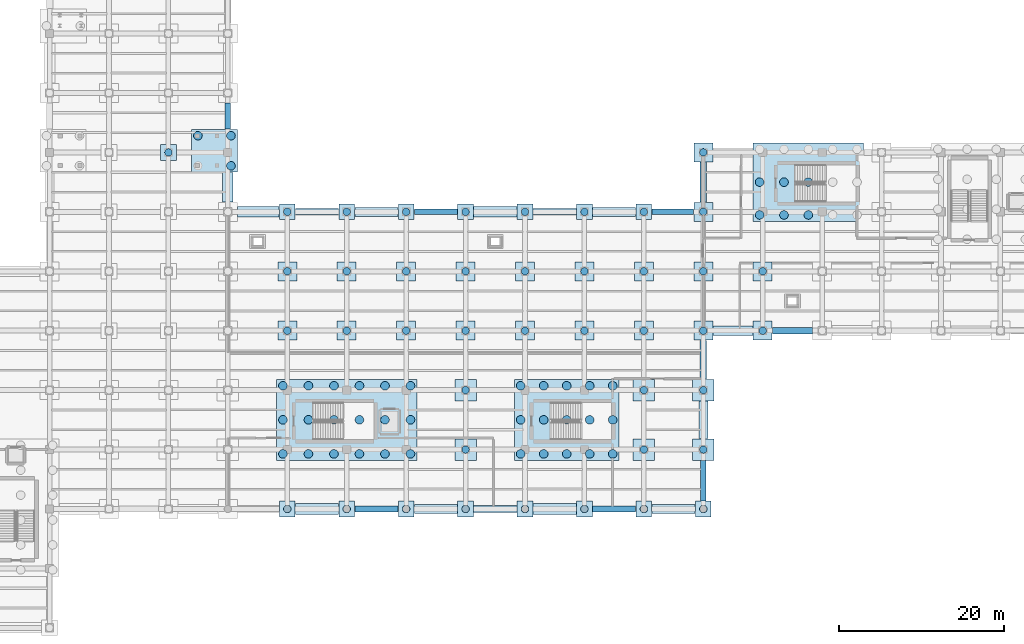
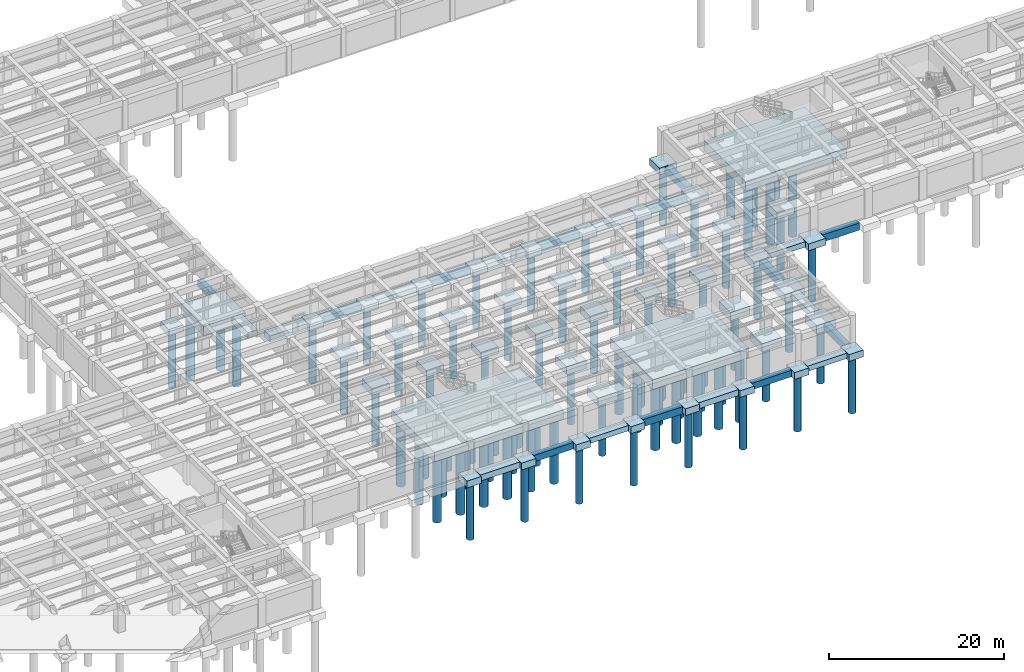
# One storey, part 2 of 34: 84 piles, 69 footings.
"""IFC4 building model written with IfcOpenShell, lengths in metres."""

from ifc_helpers import new_model, si_unit, direction, frame, origin, origin_2d, place, context, subcontext, project, spatial, polyline, rectangle, circle, outline, extrude, material, material_profile, profile_set, type_object, element, save


model = new_model("IFC4")

# Units and contexts
model_context = context("Model", 3, precision=1e-05, world=origin(), true_north=direction((0.0, 1.0)))
body_context = subcontext(model_context, "Body", "Model", "MODEL_VIEW")
ifc_project = project(units=[si_unit("LENGTHUNIT", "METRE"), si_unit("AREAUNIT", "SQUARE_METRE"), si_unit("VOLUMEUNIT", "CUBIC_METRE"), si_unit("PLANEANGLEUNIT", "RADIAN"), si_unit("MASSUNIT", "GRAM", prefix="KILO")], contexts=[model_context])

# Site, building, storey
site_placement = place(None, origin())
site = spatial("IfcSite", under=ifc_project, at=site_placement, CompositionType="ELEMENT")
building_placement = place(site_placement, origin())
building = spatial("IfcBuilding", under=site, at=building_placement, Name="Solenvale Faculty of Natural Sciences", CompositionType="ELEMENT")
storey_placement = place(building_placement, frame((0.0, 0.0, -4.5)))
storey = spatial("IfcBuildingStorey", under=building, at=storey_placement, Name="B01", CompositionType="ELEMENT", Elevation=-4.5)

# Footings
ifc_material = material(Name="Concrete 40 MPa", Category="concrete")
footing_type_1 = type_object("IfcFootingType", Name="FT-CAP-12700x9800x1350", PredefinedType="PILE_CAP", material=ifc_material)
footing_1_placement = place(storey_placement, frame((98.64990234375, 25.199951171875, -1.699951171875), z_axis=(0.0, 0.0, 1.0), x_axis=(1.0, 0.0, 0.0)))
element("IfcFooting", 1, at=footing_1_placement, inside=storey, type_object=footing_type_1, Name="B01 Pile Cap 30", PredefinedType="PILE_CAP", context=body_context, shape_type="SweptSolid", body=[
    extrude(rectangle(XDim=12.699951171875, YDim=9.800048828125, at=origin_2d()), origin(), (0.0, 0.0, 1.0), 1.35009765625),
])
footing_type_2 = type_object("IfcFootingType", Name="FT-CAP-13350x9500x1350", PredefinedType="PILE_CAP", material=ifc_material)
footing_2_placement = place(storey_placement, frame((127.925048828125, 54.0, -1.699951171875), z_axis=(0.0, 0.0, 1.0), x_axis=(1.0, 0.0, 0.0)))
element("IfcFooting", 2, at=footing_2_placement, inside=storey, type_object=footing_type_2, Name="B01 Pile Cap 103", PredefinedType="PILE_CAP", context=body_context, shape_type="SweptSolid", body=[
    extrude(rectangle(XDim=13.35009765625, YDim=9.5, at=origin_2d()), origin(), (0.0, 0.0, 1.0), 1.35009765625),
])
footing_type_3 = type_object("IfcFootingType", Name="FT-CAP-17000x9800x1350", PredefinedType="PILE_CAP", material=ifc_material)
footing_3_placement = place(storey_placement, frame((72.0, 25.199951171875, -1.699951171875), z_axis=(0.0, 0.0, 1.0), x_axis=(1.0, 0.0, 0.0)))
element("IfcFooting", 3, at=footing_3_placement, inside=storey, type_object=footing_type_3, Name="B01 Pile Cap 28", PredefinedType="PILE_CAP", context=body_context, shape_type="SweptSolid", body=[
    extrude(rectangle(XDim=17.0, YDim=9.800048828125, at=origin_2d()), origin(), (0.0, 0.0, 1.0), 1.35009765625),
])
footing_type_4 = type_object("IfcFootingType", Name="FT-CAP-1900x1900x950", PredefinedType="PILE_CAP", material=ifc_material)
for number, where, z_axis, x_axis, name in (
    (4, (64.800048828125, 14.39990234375, -1.2998046875), (0.0, 0.0, 1.0), (1.0, 0.0, 0.0), "B01 Pile Cap 19"),
    (5, (72.0, 14.39990234375, -1.2998046875), (0.0, 0.0, 1.0), (1.0, 0.0, 0.0), "B01 Pile Cap 20"),
    (6, (79.199951171875, 14.39990234375, -1.2998046875), (0.0, 0.0, 1.0), (1.0, 0.0, 0.0), "B01 Pile Cap 21"),
    (7, (86.39990234375, 14.39990234375, -1.2998046875), (0.0, 0.0, 1.0), (1.0, 0.0, 0.0), "B01 Pile Cap 22"),
    (8, (93.60009765625, 14.39990234375, -1.2998046875), (0.0, 0.0, 1.0), (1.0, 0.0, 0.0), "B01 Pile Cap 23"),
    (9, (100.800048828125, 14.39990234375, -1.2998046875), (0.0, 0.0, 1.0), (1.0, 0.0, 0.0), "B01 Pile Cap 24"),
    (10, (108.0, 14.39990234375, -1.2998046875), (0.0, 0.0, 1.0), (1.0, 0.0, 0.0), "B01 Pile Cap 25"),
    (11, (115.199951171875, 14.39990234375, -1.2998046875), (0.0, 0.0, 1.0), (1.0, 0.0, 0.0), "B01 Pile Cap 26"),
    (12, (64.800048828125, 50.39990234375, -1.2998046875), (0.0, 0.0, 1.0), (1.0, 0.0, 0.0), "B01 Pile Cap 108"),
    (13, (72.0, 50.39990234375, -1.2998046875), (0.0, 0.0, 1.0), (1.0, 0.0, 0.0), "B01 Pile Cap 109"),
    (14, (79.199951171875, 50.39990234375, -1.2998046875), (0.0, 0.0, 1.0), (1.0, 0.0, 0.0), "B01 Pile Cap 110"),
    (15, (86.39990234375, 50.39990234375, -1.2998046875), (0.0, 0.0, 1.0), (1.0, 0.0, 0.0), "B01 Pile Cap 111"),
    (16, (93.60009765625, 50.39990234375, -1.2998046875), (0.0, 0.0, 1.0), (1.0, 0.0, 0.0), "B01 Pile Cap 112"),
    (17, (100.800048828125, 50.39990234375, -1.2998046875), (0.0, 0.0, 1.0), (1.0, 0.0, 0.0), "B01 Pile Cap 113"),
    (18, (108.0, 50.39990234375, -1.2998046875), (0.0, 0.0, 1.0), (1.0, 0.0, 0.0), "B01 Pile Cap 114"),
    (19, (50.39990234375, 57.60009765625, -1.2998046875), (0.0, 0.0, 1.0), (1.0, 0.0, 0.0), "B01 Pile Cap 122"),
):
    element("IfcFooting", number, at=place(storey_placement, frame(where, z_axis=z_axis, x_axis=x_axis)), inside=storey, type_object=footing_type_4, Name=name, PredefinedType="PILE_CAP", context=body_context, shape_type="SweptSolid", body=[
        extrude(rectangle(XDim=1.89990234375, YDim=1.89990234375, at=origin_2d()), origin(), (0.0, 0.0, 1.0), 0.949951171875),
    ])
footing_type_5 = type_object("IfcFootingType", Name="FT-CAP-2300x2300x950", PredefinedType="PILE_CAP", material=ifc_material)
for number, where, z_axis, x_axis, name in (
    (20, (64.800048828125, 36.0, -1.2998046875), (0.0, 0.0, 1.0), (1.0, 0.0, 0.0), "B01 Pile Cap 53"),
    (21, (72.0, 36.0, -1.2998046875), (0.0, 0.0, 1.0), (1.0, 0.0, 0.0), "B01 Pile Cap 54"),
    (22, (79.199951171875, 36.0, -1.2998046875), (0.0, 0.0, 1.0), (1.0, 0.0, 0.0), "B01 Pile Cap 55"),
    (23, (86.39990234375, 36.0, -1.2998046875), (0.0, 0.0, 1.0), (1.0, 0.0, 0.0), "B01 Pile Cap 56"),
    (24, (93.60009765625, 36.0, -1.2998046875), (0.0, 0.0, 1.0), (1.0, 0.0, 0.0), "B01 Pile Cap 57"),
    (25, (100.800048828125, 36.0, -1.2998046875), (0.0, 0.0, 1.0), (1.0, 0.0, 0.0), "B01 Pile Cap 58"),
    (26, (108.0, 36.0, -1.2998046875), (0.0, 0.0, 1.0), (1.0, 0.0, 0.0), "B01 Pile Cap 59"),
    (27, (115.199951171875, 36.0, -1.2998046875), (0.0, 0.0, 1.0), (1.0, 0.0, 0.0), "B01 Pile Cap 60"),
    (28, (122.39990234375, 36.0, -1.2998046875), (0.0, 0.0, 1.0), (1.0, 0.0, 0.0), "B01 Pile Cap 61"),
    (29, (64.800048828125, 43.199951171875, -1.2998046875), (0.0, 0.0, 1.0), (1.0, 0.0, 0.0), "B01 Pile Cap 77"),
    (30, (72.0, 43.199951171875, -1.2998046875), (0.0, 0.0, 1.0), (1.0, 0.0, 0.0), "B01 Pile Cap 78"),
    (31, (79.199951171875, 43.199951171875, -1.2998046875), (0.0, 0.0, 1.0), (1.0, 0.0, 0.0), "B01 Pile Cap 79"),
    (32, (86.39990234375, 43.199951171875, -1.2998046875), (0.0, 0.0, 1.0), (1.0, 0.0, 0.0), "B01 Pile Cap 80"),
    (33, (93.60009765625, 43.199951171875, -1.2998046875), (0.0, 0.0, 1.0), (1.0, 0.0, 0.0), "B01 Pile Cap 81"),
    (34, (100.800048828125, 43.199951171875, -1.2998046875), (0.0, 0.0, 1.0), (1.0, 0.0, 0.0), "B01 Pile Cap 82"),
    (35, (108.0, 43.199951171875, -1.2998046875), (0.0, 0.0, 1.0), (1.0, 0.0, 0.0), "B01 Pile Cap 83"),
    (36, (115.199951171875, 43.199951171875, -1.2998046875), (0.0, 0.0, 1.0), (1.0, 0.0, 0.0), "B01 Pile Cap 84"),
    (37, (122.39990234375, 43.199951171875, -1.2998046875), (0.0, 0.0, 1.0), (1.0, 0.0, 0.0), "B01 Pile Cap 85"),
    (38, (115.199951171875, 50.39990234375, -1.2998046875), (0.0, 0.0, 1.0), (1.0, 0.0, 0.0), "B01 Pile Cap 102"),
    (39, (115.199951171875, 57.60009765625, -1.2998046875), (0.0, 0.0, 1.0), (1.0, 0.0, 0.0), "B01 Pile Cap 118"),
):
    element("IfcFooting", number, at=place(storey_placement, frame(where, z_axis=z_axis, x_axis=x_axis)), inside=storey, type_object=footing_type_5, Name=name, PredefinedType="PILE_CAP", context=body_context, shape_type="SweptSolid", body=[
        extrude(rectangle(XDim=2.300048828125, YDim=2.300048828125, at=origin_2d()), origin(), (0.0, 0.0, 1.0), 0.949951171875),
    ])
footing_type_6 = type_object("IfcFootingType", Name="FT-CAP-2600x2600x1150", PredefinedType="PILE_CAP", material=ifc_material)
for number, where, z_axis, x_axis, name in (
    (40, (86.39990234375, 21.60009765625, -1.5), (0.0, 0.0, 1.0), (1.0, 0.0, 0.0), "B01 Pile Cap 29"),
    (41, (108.0, 21.60009765625, -1.5), (0.0, 0.0, 1.0), (1.0, 0.0, 0.0), "B01 Pile Cap 31"),
    (42, (115.199951171875, 21.60009765625, -1.5), (0.0, 0.0, 1.0), (1.0, 0.0, 0.0), "B01 Pile Cap 32"),
    (43, (86.39990234375, 28.800048828125, -1.5), (0.0, 0.0, 1.0), (1.0, 0.0, 0.0), "B01 Pile Cap 40"),
    (44, (108.0, 28.800048828125, -1.5), (0.0, 0.0, 1.0), (1.0, 0.0, 0.0), "B01 Pile Cap 41"),
    (45, (115.199951171875, 28.800048828125, -1.5), (0.0, 0.0, 1.0), (1.0, 0.0, 0.0), "B01 Pile Cap 42"),
):
    element("IfcFooting", number, at=place(storey_placement, frame(where, z_axis=z_axis, x_axis=x_axis)), inside=storey, type_object=footing_type_6, Name=name, PredefinedType="PILE_CAP", context=body_context, shape_type="SweptSolid", body=[
        extrude(rectangle(XDim=2.60009765625, YDim=2.60009765625, at=origin_2d()), origin(), (0.0, 0.0, 1.0), 1.14990234375),
    ])
footing_type_7 = type_object("IfcFootingType", Name="FT-CAP-5550x5200x1350", PredefinedType="PILE_CAP", material=ifc_material)
footing_4_placement = place(storey_placement, frame((55.97509765625, 57.800048828125, -1.699951171875), z_axis=(0.0, 0.0, 1.0), x_axis=(1.0, 0.0, 0.0)))
element("IfcFooting", 46, at=footing_4_placement, inside=storey, type_object=footing_type_7, Name="B01 Pile Cap 117", PredefinedType="PILE_CAP", context=body_context, shape_type="SweptSolid", body=[
    extrude(rectangle(XDim=5.550048828125, YDim=5.199951171875, at=origin_2d()), origin(), (0.0, 0.0, 1.0), 1.35009765625),
])
footing_type_8 = type_object("IfcFootingType", Name="FT-GB-700x900", PredefinedType="FOOTING_BEAM", material=ifc_material)
footing_5_placement = place(storey_placement, frame((0.0, 0.0, -1.25)))
element("IfcFooting", 47, at=footing_5_placement, inside=storey, type_object=footing_type_8, Name="B01 Continuous Foundation Beam 12.5", PredefinedType="FOOTING_BEAM", context=body_context, shape_type="SweptSolid", body=[
    extrude(outline(polyline([(57.25, 60.43994140625), (57.949951171875, 60.43994140625), (57.949951171875, 63.610107421875), (57.25, 63.610107421875), (57.25, 60.43994140625)])), origin(), (0.0, 0.0, 1.0), 0.89990234375),
])
footing_6_placement = place(storey_placement, frame((0.0, 0.0, -1.25)))
element("IfcFooting", 48, at=footing_6_placement, inside=storey, type_object=footing_type_8, Name="B01 Continuous Foundation Beam 13.4", PredefinedType="FOOTING_BEAM", context=body_context, shape_type="SweptSolid", body=[
    extrude(outline(polyline([(80.18994140625, 50.050048828125), (85.409912109375, 50.050048828125), (85.409912109375, 50.75), (80.18994140625, 50.75), (80.18994140625, 50.050048828125)])), origin(), (0.0, 0.0, 1.0), 0.89990234375),
])
footing_7_placement = place(storey_placement, frame((0.0, 0.0, -1.25)))
element("IfcFooting", 49, at=footing_7_placement, inside=storey, type_object=footing_type_8, Name="B01 Continuous Foundation Beam 13.8", PredefinedType="FOOTING_BEAM", context=body_context, shape_type="SweptSolid", body=[
    extrude(outline(polyline([(108.989990234375, 50.050048828125), (114.010009765625, 50.050048828125), (114.010009765625, 50.75), (108.989990234375, 50.75), (108.989990234375, 50.050048828125)])), origin(), (0.0, 0.0, 1.0), 0.89990234375),
])
footing_8_placement = place(storey_placement, frame((0.0, 0.0, -1.25)))
element("IfcFooting", 50, at=footing_8_placement, inside=storey, type_object=footing_type_8, Name="B01 Continuous Foundation Beam 18.3", PredefinedType="FOOTING_BEAM", context=body_context, shape_type="SweptSolid", body=[
    extrude(outline(polyline([(114.85009765625, 15.389892578125), (115.550048828125, 15.389892578125), (115.550048828125, 20.260009765625), (114.85009765625, 20.260009765625), (114.85009765625, 15.389892578125)])), origin(), (0.0, 0.0, 1.0), 0.89990234375),
])
footing_9_placement = place(storey_placement, frame((0.0, 0.0, -1.25)))
element("IfcFooting", 51, at=footing_9_placement, inside=storey, type_object=footing_type_8, Name="B01 Continuous Foundation Beam 19.2", PredefinedType="FOOTING_BEAM", context=body_context, shape_type="SweptSolid", body=[
    extrude(outline(polyline([(101.7900390625, 14.050048828125), (107.010009765625, 14.050048828125), (107.010009765625, 14.75), (101.7900390625, 14.75), (101.7900390625, 14.050048828125)])), origin(), (0.0, 0.0, 1.0), 0.89990234375),
])
footing_10_placement = place(storey_placement, frame((0.0, 0.0, -1.25)))
element("IfcFooting", 52, at=footing_10_placement, inside=storey, type_object=footing_type_8, Name="B01 Continuous Foundation Beam 19.6", PredefinedType="FOOTING_BEAM", context=body_context, shape_type="SweptSolid", body=[
    extrude(outline(polyline([(72.989990234375, 14.050048828125), (78.2099609375, 14.050048828125), (78.2099609375, 14.75), (72.989990234375, 14.75), (72.989990234375, 14.050048828125)])), origin(), (0.0, 0.0, 1.0), 0.89990234375),
])
footing_type_9 = type_object("IfcFootingType", Name="FT-GB-800x1000", PredefinedType="FOOTING_BEAM", material=ifc_material)
footing_11_placement = place(storey_placement, frame((0.0, 0.0, -1.35009765625)))
element("IfcFooting", 53, at=footing_11_placement, inside=storey, type_object=footing_type_9, Name="B01 Continuous Foundation Beam 13.2", PredefinedType="FOOTING_BEAM", context=body_context, shape_type="SweptSolid", body=[
    extrude(outline(polyline([(65.7900390625, 50.0), (71.010009765625, 50.0), (71.010009765625, 50.800048828125), (65.7900390625, 50.800048828125), (65.7900390625, 50.0)])), origin(), (0.0, 0.0, 1.0), 1.0),
])
footing_12_placement = place(storey_placement, frame((0.0, 0.0, -1.35009765625)))
element("IfcFooting", 54, at=footing_12_placement, inside=storey, type_object=footing_type_9, Name="B01 Continuous Foundation Beam 13.6", PredefinedType="FOOTING_BEAM", context=body_context, shape_type="SweptSolid", body=[
    extrude(outline(polyline([(94.590087890625, 50.0), (99.81005859375, 50.0), (99.81005859375, 50.800048828125), (94.590087890625, 50.800048828125), (94.590087890625, 50.0)])), origin(), (0.0, 0.0, 1.0), 1.0),
])
footing_13_placement = place(storey_placement, frame((0.0, 0.0, -1.35009765625)))
element("IfcFooting", 55, at=footing_13_placement, inside=storey, type_object=footing_type_9, Name="B01 Continuous Foundation Beam 14.1", PredefinedType="FOOTING_BEAM", context=body_context, shape_type="SweptSolid", body=[
    extrude(outline(polyline([(114.800048828125, 51.590087890625), (115.60009765625, 51.590087890625), (115.60009765625, 56.409912109375), (114.800048828125, 56.409912109375), (114.800048828125, 51.590087890625)])), origin(), (0.0, 0.0, 1.0), 1.0),
])
footing_14_placement = place(storey_placement, frame((0.0, 0.0, -1.35009765625)))
element("IfcFooting", 56, at=footing_14_placement, inside=storey, type_object=footing_type_9, Name="B01 Continuous Foundation Beam 17.6", PredefinedType="FOOTING_BEAM", context=body_context, shape_type="SweptSolid", body=[
    extrude(outline(polyline([(123.590087890625, 35.60009765625), (128.409912109375, 35.60009765625), (128.409912109375, 36.39990234375), (123.590087890625, 36.39990234375), (123.590087890625, 35.60009765625)])), origin(), (0.0, 0.0, 1.0), 1.0),
])
footing_15_placement = place(storey_placement, frame((0.0, 0.0, -1.35009765625)))
element("IfcFooting", 57, at=footing_15_placement, inside=storey, type_object=footing_type_9, Name="B01 Continuous Foundation Beam 18.1", PredefinedType="FOOTING_BEAM", context=body_context, shape_type="SweptSolid", body=[
    extrude(outline(polyline([(114.800048828125, 30.139892578125), (115.60009765625, 30.139892578125), (115.60009765625, 34.81005859375), (114.800048828125, 34.81005859375), (114.800048828125, 30.139892578125)])), origin(), (0.0, 0.0, 1.0), 1.0),
])
footing_16_placement = place(storey_placement, frame((0.0, 0.0, -1.35009765625)))
element("IfcFooting", 58, at=footing_16_placement, inside=storey, type_object=footing_type_9, Name="B01 Continuous Foundation Beam 19.4", PredefinedType="FOOTING_BEAM", context=body_context, shape_type="SweptSolid", body=[
    extrude(outline(polyline([(87.389892578125, 14.0), (92.610107421875, 14.0), (92.610107421875, 14.800048828125), (87.389892578125, 14.800048828125), (87.389892578125, 14.0)])), origin(), (0.0, 0.0, 1.0), 1.0),
])
footing_type_10 = type_object("IfcFootingType", Name="FT-ST-1100x750", PredefinedType="STRIP_FOOTING", material=ifc_material)
footing_17_placement = place(storey_placement, frame((0.0, 0.0, -1.10009765625)))
element("IfcFooting", 59, at=footing_17_placement, inside=storey, type_object=footing_type_10, Name="B01 Continuous Foundation Beam 13.3", PredefinedType="STRIP_FOOTING", context=body_context, shape_type="SweptSolid", body=[
    extrude(outline(polyline([(72.989990234375, 49.85009765625), (78.2099609375, 49.85009765625), (78.2099609375, 50.949951171875), (72.989990234375, 50.949951171875), (72.989990234375, 49.85009765625)])), origin(), (0.0, 0.0, 1.0), 0.75),
])
footing_18_placement = place(storey_placement, frame((0.0, 0.0, -1.10009765625)))
element("IfcFooting", 60, at=footing_18_placement, inside=storey, type_object=footing_type_10, Name="B01 Continuous Foundation Beam 13.7", PredefinedType="STRIP_FOOTING", context=body_context, shape_type="SweptSolid", body=[
    extrude(outline(polyline([(101.7900390625, 49.85009765625), (107.010009765625, 49.85009765625), (107.010009765625, 50.949951171875), (101.7900390625, 50.949951171875), (101.7900390625, 49.85009765625)])), origin(), (0.0, 0.0, 1.0), 0.75),
])
footing_19_placement = place(storey_placement, frame((0.0, 0.0, -1.10009765625)))
element("IfcFooting", 61, at=footing_19_placement, inside=storey, type_object=footing_type_10, Name="B01 Continuous Foundation Beam 17.7", PredefinedType="STRIP_FOOTING", context=body_context, shape_type="SweptSolid", body=[
    extrude(outline(polyline([(116.389892578125, 35.449951171875), (121.2099609375, 35.449951171875), (121.2099609375, 36.550048828125), (116.389892578125, 36.550048828125), (116.389892578125, 35.449951171875)])), origin(), (0.0, 0.0, 1.0), 0.75),
])
footing_20_placement = place(storey_placement, frame((0.0, 0.0, -1.10009765625)))
element("IfcFooting", 62, at=footing_20_placement, inside=storey, type_object=footing_type_10, Name="B01 Continuous Foundation Beam 18.2", PredefinedType="STRIP_FOOTING", context=body_context, shape_type="SweptSolid", body=[
    extrude(outline(polyline([(114.64990234375, 22.93994140625), (115.75, 22.93994140625), (115.75, 27.4599609375), (114.64990234375, 27.4599609375), (114.64990234375, 22.93994140625)])), origin(), (0.0, 0.0, 1.0), 0.75),
])
footing_21_placement = place(storey_placement, frame((0.0, 0.0, -1.10009765625)))
element("IfcFooting", 63, at=footing_21_placement, inside=storey, type_object=footing_type_10, Name="B01 Continuous Foundation Beam 19.1", PredefinedType="STRIP_FOOTING", context=body_context, shape_type="SweptSolid", body=[
    extrude(outline(polyline([(108.989990234375, 13.85009765625), (114.2099609375, 13.85009765625), (114.2099609375, 14.949951171875), (108.989990234375, 14.949951171875), (108.989990234375, 13.85009765625)])), origin(), (0.0, 0.0, 1.0), 0.75),
])
footing_22_placement = place(storey_placement, frame((0.0, 0.0, -1.10009765625)))
element("IfcFooting", 64, at=footing_22_placement, inside=storey, type_object=footing_type_10, Name="B01 Continuous Foundation Beam 19.5", PredefinedType="STRIP_FOOTING", context=body_context, shape_type="SweptSolid", body=[
    extrude(outline(polyline([(80.18994140625, 13.85009765625), (85.409912109375, 13.85009765625), (85.409912109375, 14.949951171875), (80.18994140625, 14.949951171875), (80.18994140625, 13.85009765625)])), origin(), (0.0, 0.0, 1.0), 0.75),
])
footing_type_11 = type_object("IfcFootingType", Name="FT-ST-1300x850", PredefinedType="STRIP_FOOTING", material=ifc_material)
footing_23_placement = place(storey_placement, frame((0.0, 0.0, -1.199951171875)))
element("IfcFooting", 65, at=footing_23_placement, inside=storey, type_object=footing_type_11, Name="B01 Continuous Foundation Beam 12.6", PredefinedType="STRIP_FOOTING", context=body_context, shape_type="SweptSolid", body=[
    extrude(outline(polyline([(56.949951171875, 51.590087890625), (58.25, 51.590087890625), (58.25, 55.159912109375), (56.949951171875, 55.159912109375), (56.949951171875, 51.590087890625)])), origin(), (0.0, 0.0, 1.0), 0.849853515625),
])
footing_24_placement = place(storey_placement, frame((0.0, 0.0, -1.199951171875)))
element("IfcFooting", 66, at=footing_24_placement, inside=storey, type_object=footing_type_11, Name="B01 Continuous Foundation Beam 13.1", PredefinedType="STRIP_FOOTING", context=body_context, shape_type="SweptSolid", body=[
    extrude(outline(polyline([(58.7900390625, 49.75), (63.81005859375, 49.75), (63.81005859375, 51.050048828125), (58.7900390625, 51.050048828125), (58.7900390625, 49.75)])), origin(), (0.0, 0.0, 1.0), 0.849853515625),
])
footing_25_placement = place(storey_placement, frame((0.0, 0.0, -1.199951171875)))
element("IfcFooting", 67, at=footing_25_placement, inside=storey, type_object=footing_type_11, Name="B01 Continuous Foundation Beam 13.5", PredefinedType="STRIP_FOOTING", context=body_context, shape_type="SweptSolid", body=[
    extrude(outline(polyline([(87.389892578125, 49.75), (92.610107421875, 49.75), (92.610107421875, 51.050048828125), (87.389892578125, 51.050048828125), (87.389892578125, 49.75)])), origin(), (0.0, 0.0, 1.0), 0.849853515625),
])
footing_26_placement = place(storey_placement, frame((0.0, 0.0, -1.199951171875)))
element("IfcFooting", 68, at=footing_26_placement, inside=storey, type_object=footing_type_11, Name="B01 Continuous Foundation Beam 19.3", PredefinedType="STRIP_FOOTING", context=body_context, shape_type="SweptSolid", body=[
    extrude(outline(polyline([(94.590087890625, 13.75), (99.81005859375, 13.75), (99.81005859375, 15.050048828125), (94.590087890625, 15.050048828125), (94.590087890625, 13.75)])), origin(), (0.0, 0.0, 1.0), 0.849853515625),
])
footing_27_placement = place(storey_placement, frame((0.0, 0.0, -1.199951171875)))
element("IfcFooting", 69, at=footing_27_placement, inside=storey, type_object=footing_type_11, Name="B01 Continuous Foundation Beam 19.7", PredefinedType="STRIP_FOOTING", context=body_context, shape_type="SweptSolid", body=[
    extrude(outline(polyline([(65.7900390625, 13.75), (71.010009765625, 13.75), (71.010009765625, 15.050048828125), (65.7900390625, 15.050048828125), (65.7900390625, 13.75)])), origin(), (0.0, 0.0, 1.0), 0.849853515625),
])

# Piles
ifc_material_profile_1 = material_profile(ifc_material, circle(Radius=0.52490234375, at=origin_2d()), Name="PILE-D1050")
ifc_profile_set_1 = profile_set([ifc_material_profile_1], Name="Concrete 40 MPa")
pile_type_1 = type_object("IfcPileType", Name="PL-BOR-1050", PredefinedType="BORED", material=ifc_profile_set_1)
for number, where, z_axis, x_axis, name in (
    (70, (64.27490234375, 21.074951171875, -1.60009765625), (0.0, 0.0, -1.0), (1.0, 0.0, 0.0), "B01 Bored Pile 127"),
    (71, (64.27490234375, 25.199951171875, -1.60009765625), (0.0, 0.0, -1.0), (1.0, 0.0, 0.0), "B01 Bored Pile 128"),
    (72, (64.27490234375, 29.324951171875, -1.60009765625), (0.0, 0.0, -1.0), (1.0, 0.0, 0.0), "B01 Bored Pile 129"),
    (73, (67.364990234375, 21.074951171875, -1.60009765625), (0.0, 0.0, -1.0), (1.0, 0.0, 0.0), "B01 Bored Pile 130"),
    (74, (67.364990234375, 25.199951171875, -1.60009765625), (0.0, 0.0, -1.0), (1.0, 0.0, 0.0), "B01 Bored Pile 131"),
    (75, (67.364990234375, 29.324951171875, -1.60009765625), (0.0, 0.0, -1.0), (1.0, 0.0, 0.0), "B01 Bored Pile 132"),
    (76, (70.455078125, 21.074951171875, -1.60009765625), (0.0, 0.0, -1.0), (1.0, 0.0, 0.0), "B01 Bored Pile 133"),
    (77, (70.455078125, 25.199951171875, -1.60009765625), (0.0, 0.0, -1.0), (1.0, 0.0, 0.0), "B01 Bored Pile 134"),
    (78, (70.455078125, 29.324951171875, -1.60009765625), (0.0, 0.0, -1.0), (1.0, 0.0, 0.0), "B01 Bored Pile 135"),
    (79, (73.544921875, 21.074951171875, -1.60009765625), (0.0, 0.0, -1.0), (1.0, 0.0, 0.0), "B01 Bored Pile 136"),
    (80, (73.544921875, 25.199951171875, -1.60009765625), (0.0, 0.0, -1.0), (1.0, 0.0, 0.0), "B01 Bored Pile 137"),
    (81, (73.544921875, 29.324951171875, -1.60009765625), (0.0, 0.0, -1.0), (1.0, 0.0, 0.0), "B01 Bored Pile 138"),
    (82, (76.635009765625, 21.074951171875, -1.60009765625), (0.0, 0.0, -1.0), (1.0, 0.0, 0.0), "B01 Bored Pile 139"),
    (83, (76.635009765625, 25.199951171875, -1.60009765625), (0.0, 0.0, -1.0), (1.0, 0.0, 0.0), "B01 Bored Pile 140"),
    (84, (76.635009765625, 29.324951171875, -1.60009765625), (0.0, 0.0, -1.0), (1.0, 0.0, 0.0), "B01 Bored Pile 141"),
    (85, (79.72509765625, 21.074951171875, -1.60009765625), (0.0, 0.0, -1.0), (1.0, 0.0, 0.0), "B01 Bored Pile 142"),
    (86, (79.72509765625, 25.199951171875, -1.60009765625), (0.0, 0.0, -1.0), (1.0, 0.0, 0.0), "B01 Bored Pile 143"),
    (87, (79.72509765625, 29.324951171875, -1.60009765625), (0.0, 0.0, -1.0), (1.0, 0.0, 0.0), "B01 Bored Pile 144"),
    (88, (93.074951171875, 21.074951171875, -1.60009765625), (0.0, 0.0, -1.0), (1.0, 0.0, 0.0), "B01 Bored Pile 146"),
    (89, (93.074951171875, 25.199951171875, -1.60009765625), (0.0, 0.0, -1.0), (1.0, 0.0, 0.0), "B01 Bored Pile 147"),
    (90, (93.074951171875, 29.324951171875, -1.60009765625), (0.0, 0.0, -1.0), (1.0, 0.0, 0.0), "B01 Bored Pile 148"),
    (91, (95.862060546875, 21.074951171875, -1.60009765625), (0.0, 0.0, -1.0), (1.0, 0.0, 0.0), "B01 Bored Pile 149"),
    (92, (95.862060546875, 25.199951171875, -1.60009765625), (0.0, 0.0, -1.0), (1.0, 0.0, 0.0), "B01 Bored Pile 150"),
    (93, (95.862060546875, 29.324951171875, -1.60009765625), (0.0, 0.0, -1.0), (1.0, 0.0, 0.0), "B01 Bored Pile 151"),
    (94, (98.64990234375, 21.074951171875, -1.60009765625), (0.0, 0.0, -1.0), (1.0, 0.0, 0.0), "B01 Bored Pile 152"),
    (95, (98.64990234375, 25.199951171875, -1.60009765625), (0.0, 0.0, -1.0), (1.0, 0.0, 0.0), "B01 Bored Pile 153"),
    (96, (98.64990234375, 29.324951171875, -1.60009765625), (0.0, 0.0, -1.0), (1.0, 0.0, 0.0), "B01 Bored Pile 154"),
    (97, (101.43798828125, 21.074951171875, -1.60009765625), (0.0, 0.0, -1.0), (1.0, 0.0, 0.0), "B01 Bored Pile 155"),
    (98, (101.43798828125, 25.199951171875, -1.60009765625), (0.0, 0.0, -1.0), (1.0, 0.0, 0.0), "B01 Bored Pile 156"),
    (99, (101.43798828125, 29.324951171875, -1.60009765625), (0.0, 0.0, -1.0), (1.0, 0.0, 0.0), "B01 Bored Pile 157"),
    (100, (104.22509765625, 21.074951171875, -1.60009765625), (0.0, 0.0, -1.0), (1.0, 0.0, 0.0), "B01 Bored Pile 158"),
    (101, (104.22509765625, 25.199951171875, -1.60009765625), (0.0, 0.0, -1.0), (1.0, 0.0, 0.0), "B01 Bored Pile 159"),
    (102, (104.22509765625, 29.324951171875, -1.60009765625), (0.0, 0.0, -1.0), (1.0, 0.0, 0.0), "B01 Bored Pile 160"),
    (103, (122.02490234375, 50.02490234375, -1.60009765625), (0.0, 0.0, -1.0), (1.0, 0.0, 0.0), "B01 Bored Pile 248"),
    (104, (122.02490234375, 54.0, -1.60009765625), (0.0, 0.0, -1.0), (1.0, 0.0, 0.0), "B01 Bored Pile 249"),
    (105, (124.97509765625, 50.02490234375, -1.60009765625), (0.0, 0.0, -1.0), (1.0, 0.0, 0.0), "B01 Bored Pile 251"),
    (106, (124.97509765625, 54.0, -1.60009765625), (0.0, 0.0, -1.0), (1.0, 0.0, 0.0), "B01 Bored Pile 252"),
    (107, (127.925048828125, 50.02490234375, -1.60009765625), (0.0, 0.0, -1.0), (1.0, 0.0, 0.0), "B01 Bored Pile 254"),
    (108, (127.925048828125, 54.0, -1.60009765625), (0.0, 0.0, -1.0), (1.0, 0.0, 0.0), "B01 Bored Pile 255"),
    (109, (53.97509765625, 59.625, -1.60009765625), (0.0, 0.0, -1.0), (1.0, 0.0, 0.0), "B01 Bored Pile 280"),
    (110, (57.97509765625, 55.97509765625, -1.60009765625), (0.0, 0.0, -1.0), (1.0, 0.0, 0.0), "B01 Bored Pile 281"),
    (111, (57.97509765625, 59.625, -1.60009765625), (0.0, 0.0, -1.0), (1.0, 0.0, 0.0), "B01 Bored Pile 282"),
):
    element("IfcPile", number, at=place(storey_placement, frame(where, z_axis=z_axis, x_axis=x_axis)), inside=storey, type_object=pile_type_1, Name=name, PredefinedType="BORED", context=body_context, shape_type="SweptSolid", body=[
        extrude(circle(Radius=0.52490234375, at=origin_2d()), origin(), (0.0, 0.0, 1.0), 9.0),
    ])
ifc_material_profile_2 = material_profile(ifc_material, circle(Radius=0.449951171875, at=origin_2d()), Name="PILE-D900")
ifc_profile_set_2 = profile_set([ifc_material_profile_2], Name="Concrete 40 MPa")
pile_type_2 = type_object("IfcPileType", Name="PL-BOR-900", PredefinedType="BORED", material=ifc_profile_set_2)
for number, where, z_axis, x_axis, name in (
    (112, (64.800048828125, 14.39990234375, -1.199951171875), (0.0, 0.0, -1.0), (1.0, 0.0, 0.0), "B01 Bored Pile 118"),
    (113, (72.0, 14.39990234375, -1.199951171875), (0.0, 0.0, -1.0), (1.0, 0.0, 0.0), "B01 Bored Pile 119"),
    (114, (79.199951171875, 14.39990234375, -1.199951171875), (0.0, 0.0, -1.0), (1.0, 0.0, 0.0), "B01 Bored Pile 120"),
    (115, (86.39990234375, 14.39990234375, -1.199951171875), (0.0, 0.0, -1.0), (1.0, 0.0, 0.0), "B01 Bored Pile 121"),
    (116, (93.60009765625, 14.39990234375, -1.199951171875), (0.0, 0.0, -1.0), (1.0, 0.0, 0.0), "B01 Bored Pile 122"),
    (117, (100.800048828125, 14.39990234375, -1.199951171875), (0.0, 0.0, -1.0), (1.0, 0.0, 0.0), "B01 Bored Pile 123"),
    (118, (108.0, 14.39990234375, -1.199951171875), (0.0, 0.0, -1.0), (1.0, 0.0, 0.0), "B01 Bored Pile 124"),
    (119, (115.199951171875, 14.39990234375, -1.199951171875), (0.0, 0.0, -1.0), (1.0, 0.0, 0.0), "B01 Bored Pile 125"),
    (120, (86.39990234375, 21.60009765625, -1.39990234375), (0.0, 0.0, -1.0), (1.0, 0.0, 0.0), "B01 Bored Pile 145"),
    (121, (108.0, 21.60009765625, -1.39990234375), (0.0, 0.0, -1.0), (1.0, 0.0, 0.0), "B01 Bored Pile 161"),
    (122, (115.199951171875, 21.60009765625, -1.39990234375), (0.0, 0.0, -1.0), (1.0, 0.0, 0.0), "B01 Bored Pile 162"),
    (123, (86.39990234375, 28.800048828125, -1.39990234375), (0.0, 0.0, -1.0), (1.0, 0.0, 0.0), "B01 Bored Pile 170"),
    (124, (108.0, 28.800048828125, -1.39990234375), (0.0, 0.0, -1.0), (1.0, 0.0, 0.0), "B01 Bored Pile 171"),
    (125, (115.199951171875, 28.800048828125, -1.39990234375), (0.0, 0.0, -1.0), (1.0, 0.0, 0.0), "B01 Bored Pile 172"),
    (126, (64.800048828125, 36.0, -1.199951171875), (0.0, 0.0, -1.0), (1.0, 0.0, 0.0), "B01 Bored Pile 183"),
    (127, (72.0, 36.0, -1.199951171875), (0.0, 0.0, -1.0), (1.0, 0.0, 0.0), "B01 Bored Pile 184"),
    (128, (79.199951171875, 36.0, -1.199951171875), (0.0, 0.0, -1.0), (1.0, 0.0, 0.0), "B01 Bored Pile 185"),
    (129, (86.39990234375, 36.0, -1.199951171875), (0.0, 0.0, -1.0), (1.0, 0.0, 0.0), "B01 Bored Pile 186"),
    (130, (93.60009765625, 36.0, -1.199951171875), (0.0, 0.0, -1.0), (1.0, 0.0, 0.0), "B01 Bored Pile 187"),
    (131, (100.800048828125, 36.0, -1.199951171875), (0.0, 0.0, -1.0), (1.0, 0.0, 0.0), "B01 Bored Pile 188"),
    (132, (108.0, 36.0, -1.199951171875), (0.0, 0.0, -1.0), (1.0, 0.0, 0.0), "B01 Bored Pile 189"),
    (133, (115.199951171875, 36.0, -1.199951171875), (0.0, 0.0, -1.0), (1.0, 0.0, 0.0), "B01 Bored Pile 190"),
    (134, (122.39990234375, 36.0, -1.199951171875), (0.0, 0.0, -1.0), (1.0, 0.0, 0.0), "B01 Bored Pile 191"),
    (135, (64.800048828125, 43.199951171875, -1.199951171875), (0.0, 0.0, -1.0), (1.0, 0.0, 0.0), "B01 Bored Pile 207"),
    (136, (72.0, 43.199951171875, -1.199951171875), (0.0, 0.0, -1.0), (1.0, 0.0, 0.0), "B01 Bored Pile 208"),
    (137, (79.199951171875, 43.199951171875, -1.199951171875), (0.0, 0.0, -1.0), (1.0, 0.0, 0.0), "B01 Bored Pile 209"),
    (138, (86.39990234375, 43.199951171875, -1.199951171875), (0.0, 0.0, -1.0), (1.0, 0.0, 0.0), "B01 Bored Pile 210"),
    (139, (93.60009765625, 43.199951171875, -1.199951171875), (0.0, 0.0, -1.0), (1.0, 0.0, 0.0), "B01 Bored Pile 211"),
    (140, (100.800048828125, 43.199951171875, -1.199951171875), (0.0, 0.0, -1.0), (1.0, 0.0, 0.0), "B01 Bored Pile 212"),
    (141, (108.0, 43.199951171875, -1.199951171875), (0.0, 0.0, -1.0), (1.0, 0.0, 0.0), "B01 Bored Pile 213"),
    (142, (115.199951171875, 43.199951171875, -1.199951171875), (0.0, 0.0, -1.0), (1.0, 0.0, 0.0), "B01 Bored Pile 214"),
    (143, (122.39990234375, 43.199951171875, -1.199951171875), (0.0, 0.0, -1.0), (1.0, 0.0, 0.0), "B01 Bored Pile 215"),
    (144, (115.199951171875, 50.39990234375, -1.199951171875), (0.0, 0.0, -1.0), (1.0, 0.0, 0.0), "B01 Bored Pile 247"),
    (145, (64.800048828125, 50.39990234375, -1.199951171875), (0.0, 0.0, -1.0), (1.0, 0.0, 0.0), "B01 Bored Pile 267"),
    (146, (72.0, 50.39990234375, -1.199951171875), (0.0, 0.0, -1.0), (1.0, 0.0, 0.0), "B01 Bored Pile 268"),
    (147, (79.199951171875, 50.39990234375, -1.199951171875), (0.0, 0.0, -1.0), (1.0, 0.0, 0.0), "B01 Bored Pile 269"),
    (148, (86.39990234375, 50.39990234375, -1.199951171875), (0.0, 0.0, -1.0), (1.0, 0.0, 0.0), "B01 Bored Pile 270"),
    (149, (93.60009765625, 50.39990234375, -1.199951171875), (0.0, 0.0, -1.0), (1.0, 0.0, 0.0), "B01 Bored Pile 271"),
    (150, (100.800048828125, 50.39990234375, -1.199951171875), (0.0, 0.0, -1.0), (1.0, 0.0, 0.0), "B01 Bored Pile 272"),
    (151, (108.0, 50.39990234375, -1.199951171875), (0.0, 0.0, -1.0), (1.0, 0.0, 0.0), "B01 Bored Pile 273"),
    (152, (115.199951171875, 57.60009765625, -1.199951171875), (0.0, 0.0, -1.0), (1.0, 0.0, 0.0), "B01 Bored Pile 283"),
    (153, (50.39990234375, 57.60009765625, -1.199951171875), (0.0, 0.0, -1.0), (1.0, 0.0, 0.0), "B01 Bored Pile 287"),
):
    element("IfcPile", number, at=place(storey_placement, frame(where, z_axis=z_axis, x_axis=x_axis)), inside=storey, type_object=pile_type_2, Name=name, PredefinedType="BORED", context=body_context, shape_type="SweptSolid", body=[
        extrude(circle(Radius=0.449951171875, at=origin_2d()), origin(), (0.0, 0.0, 1.0), 8.0),
    ])

save(model, "model.ifc")
